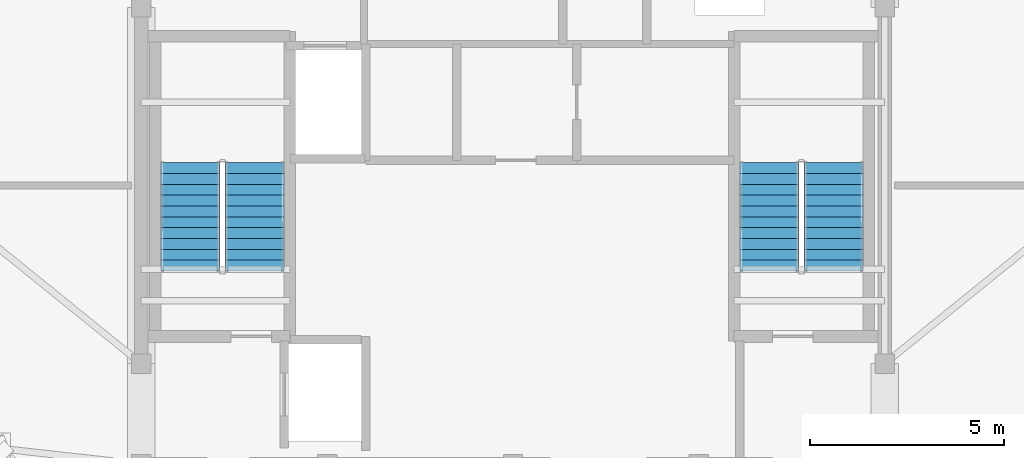
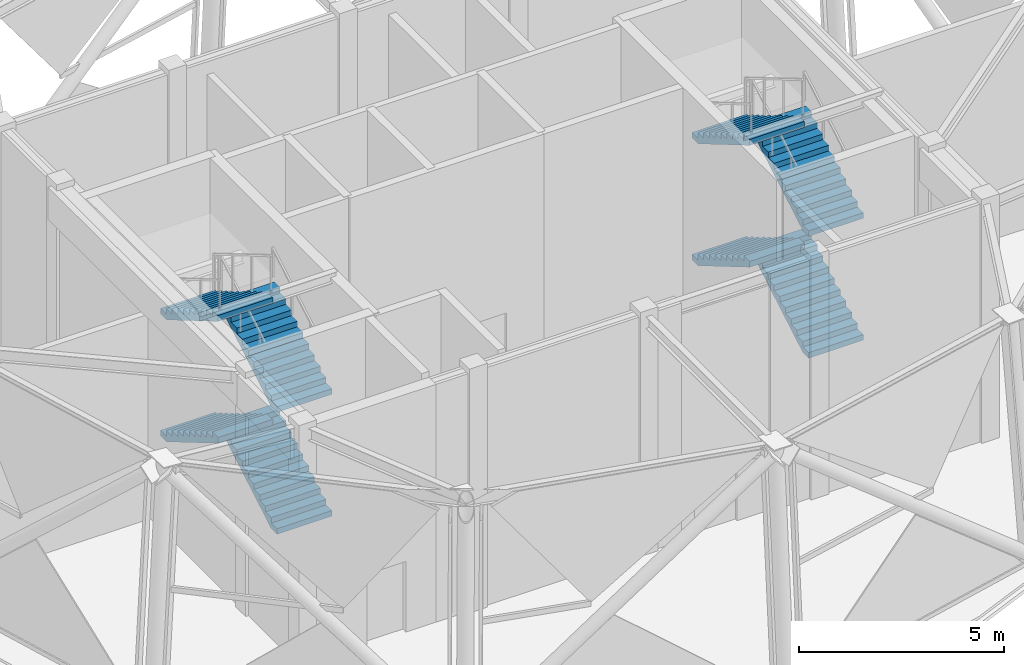
# One storey, part 6 of 9: 8 stair flights, 2 elements without a shape of their own.
"""IFC4 building model written with IfcOpenShell, lengths in metres."""

from ifc_helpers import new_model, si_unit, direction, frame, origin, place, context, subcontext, project, spatial, polyline, outline, extrude, material, type_object, element, aggregate, save


model = new_model("IFC4")

# Units and contexts
model_context = context("Model", 3, precision=1e-05, world=origin(), true_north=direction((0.0, 1.0)))
body_context = subcontext(model_context, "Body", "Model", "MODEL_VIEW")
ifc_project = project(units=[si_unit("LENGTHUNIT", "METRE"), si_unit("AREAUNIT", "SQUARE_METRE"), si_unit("VOLUMEUNIT", "CUBIC_METRE"), si_unit("PLANEANGLEUNIT", "RADIAN"), si_unit("MASSUNIT", "GRAM", prefix="KILO")], contexts=[model_context])

# Site, building, storey
site_placement = place(None, origin())
site = spatial("IfcSite", under=ifc_project, at=site_placement, CompositionType="ELEMENT")
building_placement = place(site_placement, origin())
building = spatial("IfcBuilding", under=site, at=building_placement, Name="Vantalir Tower", CompositionType="ELEMENT")
storey_placement = place(building_placement, frame((0.0, 0.0, 319.0)))
storey = spatial("IfcBuildingStorey", under=building, at=storey_placement, Name="L78", CompositionType="ELEMENT", Elevation=319.0)

# Stair, stair flights
ifc_material = material(Name="Concrete C40/50", Category="concrete")
stair_type = type_object("IfcStairType", Name="STR-CORE-1450", PredefinedType="HALF_TURN_STAIR", material=ifc_material)
stair_1_placement = place(storey_placement, origin())
stair_1 = element("IfcStair", 1, at=stair_1_placement, inside=storey, type_object=stair_type, Name="L78 Core Exit Stair 1", PredefinedType="HALF_TURN_STAIR")
stair_flight_type = type_object("IfcStairFlightType", Name="FLT-CORE-1450", PredefinedType="STRAIGHT", material=ifc_material)
stair_flight_1_placement = place(storey_placement, frame((24.830078125, 22.7900390625, 0.0), z_axis=(0.0, 0.0, 1.0), x_axis=(0.0, 1.0, 0.0)))
stair_flight_1 = element("IfcStairFlight", 2, at=stair_flight_1_placement, type_object=stair_flight_type, Name="ST1 flight 1", NumberOfRisers=11, NumberOfTreads=10, PredefinedType="STRAIGHT", RiserHeight=0.164772727, TreadLength=0.28, context=body_context, shape_type="SweptSolid", body=[
    extrude(outline(polyline([(0.0, 0.0), (0.0, 0.164794921875), (0.280029296875, 0.164794921875), (0.280029296875, 0.32958984375), (0.56005859375, 0.32958984375), (0.56005859375, 0.494384765625), (0.840087890625, 0.494384765625), (0.840087890625, 0.6591796875), (1.1201171875, 0.6591796875), (1.1201171875, 0.823974609375), (1.39990234375, 0.823974609375), (1.39990234375, 0.988525390625), (1.679931640625, 0.988525390625), (1.679931640625, 1.1533203125), (1.9599609375, 1.1533203125), (1.9599609375, 1.318115234375), (2.239990234375, 1.318115234375), (2.239990234375, 1.48291015625), (2.52001953125, 1.48291015625), (2.52001953125, 1.647705078125), (2.800048828125, 1.647705078125), (2.800048828125, 1.8125), (2.800048828125, 1.473876953125), (0.295654296875, 0.0), (0.0, 0.0)])), frame((0.0, 0.77001953125, 0.0), z_axis=(0.0, -1.0, 0.0), x_axis=(1.0, 0.0, 0.0)), (0.0, 0.0, 1.0), 1.5400390625),
])
stair_flight_2_placement = place(storey_placement, frame((23.169921875, 25.590087890625, 1.8125), z_axis=(0.0, 0.0, 1.0), x_axis=(0.0, -1.0, 0.0)))
stair_flight_2 = element("IfcStairFlight", 3, at=stair_flight_2_placement, type_object=stair_flight_type, Name="ST1 flight 2", NumberOfRisers=11, NumberOfTreads=10, PredefinedType="STRAIGHT", RiserHeight=0.164772727, TreadLength=0.28, context=body_context, shape_type="SweptSolid", body=[
    extrude(outline(polyline([(0.0, 0.0), (0.0, 0.164794921875), (0.280029296875, 0.164794921875), (0.280029296875, 0.32958984375), (0.56005859375, 0.32958984375), (0.56005859375, 0.494384765625), (0.840087890625, 0.494384765625), (0.840087890625, 0.6591796875), (1.1201171875, 0.6591796875), (1.1201171875, 0.823974609375), (1.39990234375, 0.823974609375), (1.39990234375, 0.988525390625), (1.679931640625, 0.988525390625), (1.679931640625, 1.1533203125), (1.9599609375, 1.1533203125), (1.9599609375, 1.318115234375), (2.239990234375, 1.318115234375), (2.239990234375, 1.48291015625), (2.52001953125, 1.48291015625), (2.52001953125, 1.647705078125), (2.800048828125, 1.647705078125), (2.800048828125, 1.8125), (2.800048828125, 1.473876953125), (0.295654296875, 0.0), (0.0, 0.0)])), frame((0.0, 0.77001953125, 0.0), z_axis=(0.0, -1.0, 0.0), x_axis=(1.0, 0.0, 0.0)), (0.0, 0.0, 1.0), 1.5400390625),
])
stair_flight_3_placement = place(storey_placement, frame((24.830078125, 22.7900390625, 3.625), z_axis=(0.0, 0.0, 1.0), x_axis=(0.0, 1.0, 0.0)))
stair_flight_3 = element("IfcStairFlight", 4, at=stair_flight_3_placement, type_object=stair_flight_type, Name="ST1 flight 3", NumberOfRisers=11, NumberOfTreads=10, PredefinedType="STRAIGHT", RiserHeight=0.164772727, TreadLength=0.28, context=body_context, shape_type="SweptSolid", body=[
    extrude(outline(polyline([(0.0, 0.0), (0.0, 0.164794921875), (0.280029296875, 0.164794921875), (0.280029296875, 0.32958984375), (0.56005859375, 0.32958984375), (0.56005859375, 0.494384765625), (0.840087890625, 0.494384765625), (0.840087890625, 0.6591796875), (1.1201171875, 0.6591796875), (1.1201171875, 0.823974609375), (1.39990234375, 0.823974609375), (1.39990234375, 0.988525390625), (1.679931640625, 0.988525390625), (1.679931640625, 1.1533203125), (1.9599609375, 1.1533203125), (1.9599609375, 1.318115234375), (2.239990234375, 1.318115234375), (2.239990234375, 1.48291015625), (2.52001953125, 1.48291015625), (2.52001953125, 1.647705078125), (2.800048828125, 1.647705078125), (2.800048828125, 1.8125), (2.800048828125, 1.473876953125), (0.295654296875, 0.0), (0.0, 0.0)])), frame((0.0, 0.77001953125, 0.0), z_axis=(0.0, -1.0, 0.0), x_axis=(1.0, 0.0, 0.0)), (0.0, 0.0, 1.0), 1.5400390625),
])
stair_flight_4_placement = place(storey_placement, frame((23.169921875, 25.590087890625, 5.4375), z_axis=(0.0, 0.0, 1.0), x_axis=(0.0, -1.0, 0.0)))
stair_flight_4 = element("IfcStairFlight", 5, at=stair_flight_4_placement, type_object=stair_flight_type, Name="ST1 flight 4", NumberOfRisers=11, NumberOfTreads=10, PredefinedType="STRAIGHT", RiserHeight=0.164772727, TreadLength=0.28, context=body_context, shape_type="SweptSolid", body=[
    extrude(outline(polyline([(0.0, 0.0), (0.0, 0.164794921875), (0.280029296875, 0.164794921875), (0.280029296875, 0.32958984375), (0.56005859375, 0.32958984375), (0.56005859375, 0.494384765625), (0.840087890625, 0.494384765625), (0.840087890625, 0.6591796875), (1.1201171875, 0.6591796875), (1.1201171875, 0.823974609375), (1.39990234375, 0.823974609375), (1.39990234375, 0.988525390625), (1.679931640625, 0.988525390625), (1.679931640625, 1.1533203125), (1.9599609375, 1.1533203125), (1.9599609375, 1.318115234375), (2.239990234375, 1.318115234375), (2.239990234375, 1.48291015625), (2.52001953125, 1.48291015625), (2.52001953125, 1.647705078125), (2.800048828125, 1.647705078125), (2.800048828125, 1.8125), (2.800048828125, 1.473876953125), (0.295654296875, 0.0), (0.0, 0.0)])), frame((0.0, 0.77001953125, 0.0), z_axis=(0.0, -1.0, 0.0), x_axis=(1.0, 0.0, 0.0)), (0.0, 0.0, 1.0), 1.5400390625),
])
aggregate(stair_1, [stair_flight_1, stair_flight_2, stair_flight_3, stair_flight_4])

stair_2_placement = place(storey_placement, origin())
stair_2 = element("IfcStair", 6, at=stair_2_placement, inside=storey, type_object=stair_type, Name="L78 Core Exit Stair 2", PredefinedType="HALF_TURN_STAIR")
stair_flight_5_placement = place(storey_placement, frame((39.780029296875, 22.7900390625, 0.0), z_axis=(0.0, 0.0, 1.0), x_axis=(0.0, 1.0, 0.0)))
stair_flight_5 = element("IfcStairFlight", 7, at=stair_flight_5_placement, type_object=stair_flight_type, Name="ST2 flight 1", NumberOfRisers=11, NumberOfTreads=10, PredefinedType="STRAIGHT", RiserHeight=0.164772727, TreadLength=0.28, context=body_context, shape_type="SweptSolid", body=[
    extrude(outline(polyline([(0.0, 0.0), (0.0, 0.164794921875), (0.280029296875, 0.164794921875), (0.280029296875, 0.32958984375), (0.56005859375, 0.32958984375), (0.56005859375, 0.494384765625), (0.840087890625, 0.494384765625), (0.840087890625, 0.6591796875), (1.1201171875, 0.6591796875), (1.1201171875, 0.823974609375), (1.39990234375, 0.823974609375), (1.39990234375, 0.988525390625), (1.679931640625, 0.988525390625), (1.679931640625, 1.1533203125), (1.9599609375, 1.1533203125), (1.9599609375, 1.318115234375), (2.239990234375, 1.318115234375), (2.239990234375, 1.48291015625), (2.52001953125, 1.48291015625), (2.52001953125, 1.647705078125), (2.800048828125, 1.647705078125), (2.800048828125, 1.8125), (2.800048828125, 1.473876953125), (0.295654296875, 0.0), (0.0, 0.0)])), frame((0.0, 0.77001953125, 0.0), z_axis=(0.0, -1.0, 0.0), x_axis=(1.0, 0.0, 0.0)), (0.0, 0.0, 1.0), 1.5400390625),
])
stair_flight_6_placement = place(storey_placement, frame((38.1201171875, 25.590087890625, 1.8125), z_axis=(0.0, 0.0, 1.0), x_axis=(0.0, -1.0, 0.0)))
stair_flight_6 = element("IfcStairFlight", 8, at=stair_flight_6_placement, type_object=stair_flight_type, Name="ST2 flight 2", NumberOfRisers=11, NumberOfTreads=10, PredefinedType="STRAIGHT", RiserHeight=0.164772727, TreadLength=0.28, context=body_context, shape_type="SweptSolid", body=[
    extrude(outline(polyline([(0.0, 0.0), (0.0, 0.164794921875), (0.280029296875, 0.164794921875), (0.280029296875, 0.32958984375), (0.56005859375, 0.32958984375), (0.56005859375, 0.494384765625), (0.840087890625, 0.494384765625), (0.840087890625, 0.6591796875), (1.1201171875, 0.6591796875), (1.1201171875, 0.823974609375), (1.39990234375, 0.823974609375), (1.39990234375, 0.988525390625), (1.679931640625, 0.988525390625), (1.679931640625, 1.1533203125), (1.9599609375, 1.1533203125), (1.9599609375, 1.318115234375), (2.239990234375, 1.318115234375), (2.239990234375, 1.48291015625), (2.52001953125, 1.48291015625), (2.52001953125, 1.647705078125), (2.800048828125, 1.647705078125), (2.800048828125, 1.8125), (2.800048828125, 1.473876953125), (0.295654296875, 0.0), (0.0, 0.0)])), frame((0.0, 0.77001953125, 0.0), z_axis=(0.0, -1.0, 0.0), x_axis=(1.0, 0.0, 0.0)), (0.0, 0.0, 1.0), 1.5400390625),
])
stair_flight_7_placement = place(storey_placement, frame((39.780029296875, 22.7900390625, 3.625), z_axis=(0.0, 0.0, 1.0), x_axis=(0.0, 1.0, 0.0)))
stair_flight_7 = element("IfcStairFlight", 9, at=stair_flight_7_placement, type_object=stair_flight_type, Name="ST2 flight 3", NumberOfRisers=11, NumberOfTreads=10, PredefinedType="STRAIGHT", RiserHeight=0.164772727, TreadLength=0.28, context=body_context, shape_type="SweptSolid", body=[
    extrude(outline(polyline([(0.0, 0.0), (0.0, 0.164794921875), (0.280029296875, 0.164794921875), (0.280029296875, 0.32958984375), (0.56005859375, 0.32958984375), (0.56005859375, 0.494384765625), (0.840087890625, 0.494384765625), (0.840087890625, 0.6591796875), (1.1201171875, 0.6591796875), (1.1201171875, 0.823974609375), (1.39990234375, 0.823974609375), (1.39990234375, 0.988525390625), (1.679931640625, 0.988525390625), (1.679931640625, 1.1533203125), (1.9599609375, 1.1533203125), (1.9599609375, 1.318115234375), (2.239990234375, 1.318115234375), (2.239990234375, 1.48291015625), (2.52001953125, 1.48291015625), (2.52001953125, 1.647705078125), (2.800048828125, 1.647705078125), (2.800048828125, 1.8125), (2.800048828125, 1.473876953125), (0.295654296875, 0.0), (0.0, 0.0)])), frame((0.0, 0.77001953125, 0.0), z_axis=(0.0, -1.0, 0.0), x_axis=(1.0, 0.0, 0.0)), (0.0, 0.0, 1.0), 1.5400390625),
])
stair_flight_8_placement = place(storey_placement, frame((38.1201171875, 25.590087890625, 5.4375), z_axis=(0.0, 0.0, 1.0), x_axis=(0.0, -1.0, 0.0)))
stair_flight_8 = element("IfcStairFlight", 10, at=stair_flight_8_placement, type_object=stair_flight_type, Name="ST2 flight 4", NumberOfRisers=11, NumberOfTreads=10, PredefinedType="STRAIGHT", RiserHeight=0.164772727, TreadLength=0.28, context=body_context, shape_type="SweptSolid", body=[
    extrude(outline(polyline([(0.0, 0.0), (0.0, 0.164794921875), (0.280029296875, 0.164794921875), (0.280029296875, 0.32958984375), (0.56005859375, 0.32958984375), (0.56005859375, 0.494384765625), (0.840087890625, 0.494384765625), (0.840087890625, 0.6591796875), (1.1201171875, 0.6591796875), (1.1201171875, 0.823974609375), (1.39990234375, 0.823974609375), (1.39990234375, 0.988525390625), (1.679931640625, 0.988525390625), (1.679931640625, 1.1533203125), (1.9599609375, 1.1533203125), (1.9599609375, 1.318115234375), (2.239990234375, 1.318115234375), (2.239990234375, 1.48291015625), (2.52001953125, 1.48291015625), (2.52001953125, 1.647705078125), (2.800048828125, 1.647705078125), (2.800048828125, 1.8125), (2.800048828125, 1.473876953125), (0.295654296875, 0.0), (0.0, 0.0)])), frame((0.0, 0.77001953125, 0.0), z_axis=(0.0, -1.0, 0.0), x_axis=(1.0, 0.0, 0.0)), (0.0, 0.0, 1.0), 1.5400390625),
])
aggregate(stair_2, [stair_flight_5, stair_flight_6, stair_flight_7, stair_flight_8])

save(model, "model.ifc")
